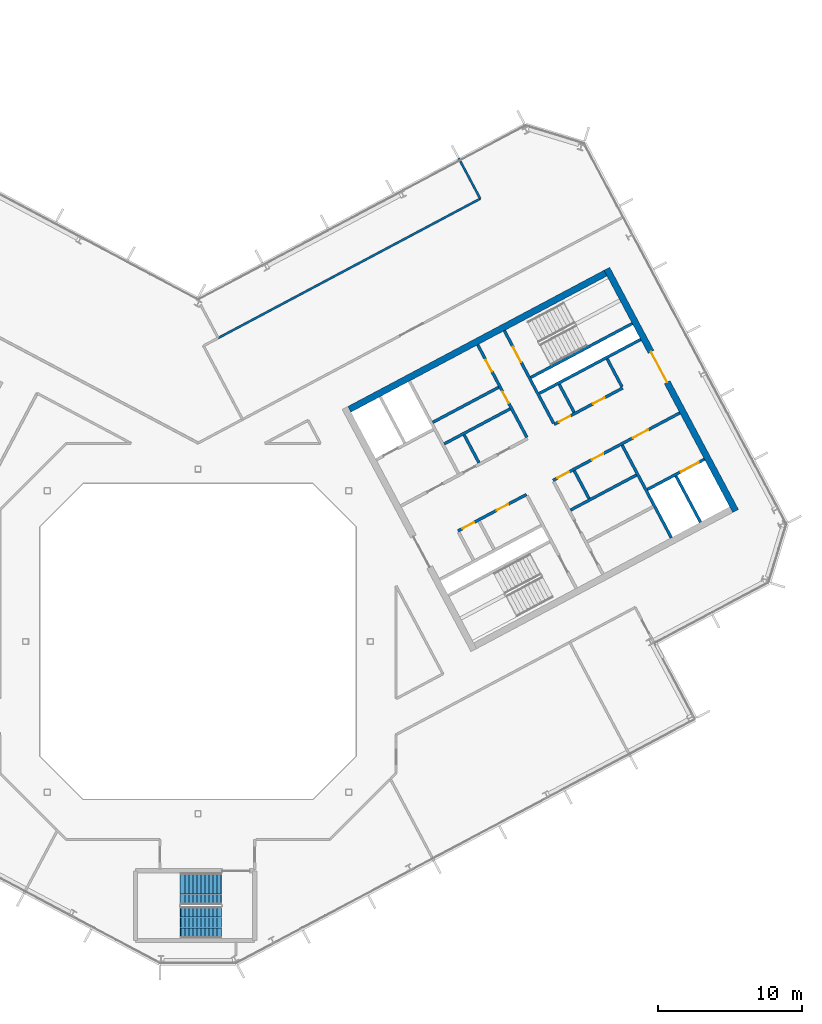
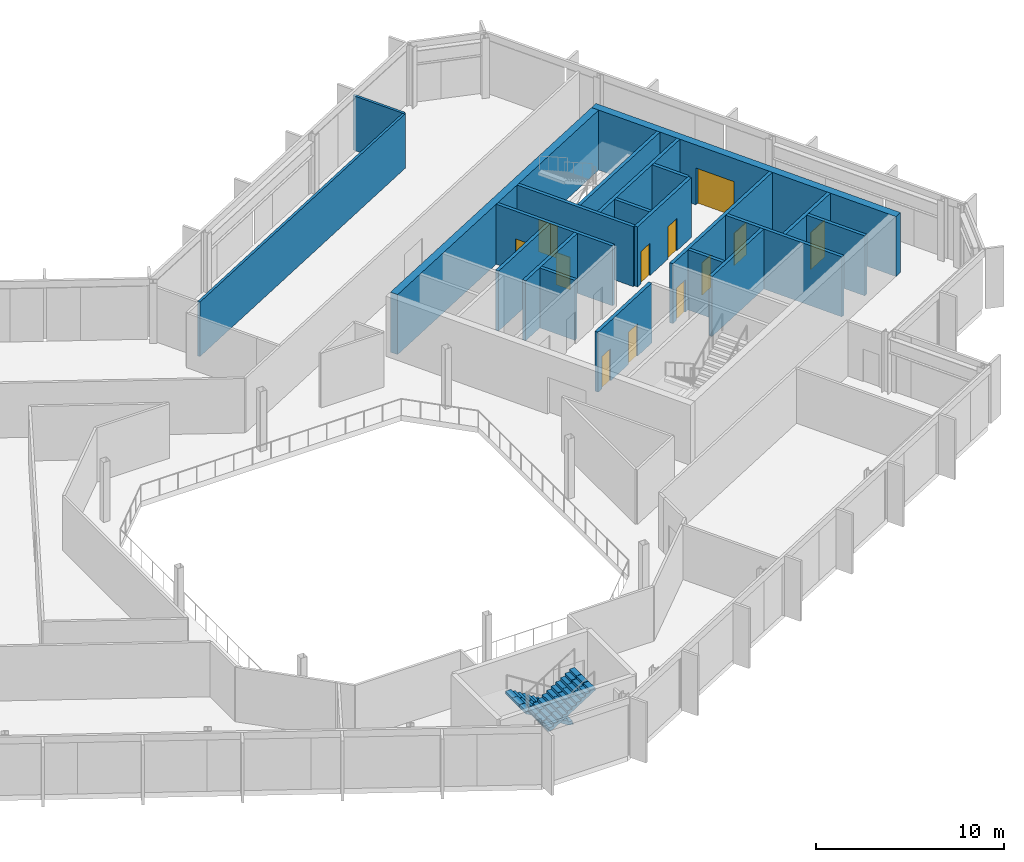
# One storey, part 17 of 26: 21 walls, 12 doors, 2 stair flights, 12 openings, 1 element without a shape of its own.
"""IFC4 building model written with IfcOpenShell, lengths in metres."""

from ifc_helpers import new_model, si_unit, direction, frame, frame_2d, origin, place, context, subcontext, project, spatial, polyline, rectangle, outline, extrude, material, layer, layer_set, type_object, element, fill, aggregate, save


model = new_model("IFC4")

# Units and contexts
model_context = context("Model", 3, precision=1e-05, world=origin(), true_north=direction((0.0, 1.0)))
body_context = subcontext(model_context, "Body", "Model", "MODEL_VIEW")
ifc_project = project(units=[si_unit("LENGTHUNIT", "METRE"), si_unit("AREAUNIT", "SQUARE_METRE"), si_unit("VOLUMEUNIT", "CUBIC_METRE"), si_unit("PLANEANGLEUNIT", "RADIAN"), si_unit("MASSUNIT", "GRAM", prefix="KILO")], contexts=[model_context])

# Site, building, storey
site_placement = place(None, origin())
site = spatial("IfcSite", under=ifc_project, at=site_placement, CompositionType="ELEMENT")
building_placement = place(site_placement, origin())
building = spatial("IfcBuilding", under=site, at=building_placement, Name="Cormorant Relay Tower", CompositionType="ELEMENT")
storey_placement = place(building_placement, frame((0.0, 0.0, 277.5)))
storey = spatial("IfcBuildingStorey", under=building, at=storey_placement, Name="L62", CompositionType="ELEMENT", Elevation=277.5)

# Walls
ifc_material_1 = material(Name="Concrete 40 MPa", Category="concrete")
ifc_layer_1 = layer(ifc_material_1, 0.199951171875)
ifc_layer_set_1 = layer_set([ifc_layer_1], Name="Core internal wall 200")
wall_type_1 = type_object("IfcWallType", Name="Core internal wall 200", PredefinedType="SOLIDWALL", material=ifc_layer_set_1)
for number, where, z_axis, x_axis, name in (
    (1, (19.568603515625, 12.443603515625, 0.0), (0.0, 0.0, 1.0), (-0.4694473164, 0.882960484464, 0.0), "L62 core B shaft and room wall"),
    (2, (27.236083984375, 9.951416015625, 0.0), (0.0, 0.0, 1.0), (-0.4694473164, 0.882960484464, 0.0), "L62 core B shaft and room wall"),
    (3, (26.19091796875, 15.964599609375, 0.0), (0.0, 0.0, 1.0), (-0.469533832133, 0.882914480843, 0.0), "L62 core B shaft and room wall"),
):
    element("IfcWall", number, at=place(storey_placement, frame(where, z_axis=z_axis, x_axis=x_axis)), inside=storey, type_object=wall_type_1, Name=name, PredefinedType="SOLIDWALL", context=body_context, shape_type="SweptSolid", body=[
        extrude(rectangle(XDim=2.199951171875, YDim=0.199951171875, at=frame_2d((1.10009765625, 0.0))), origin(), (0.0, 0.0, 1.0), 3.89990234375),
    ])
wall_1_placement = place(storey_placement, frame((16.3486328125, 15.26171875, 0.0), z_axis=(0.0, 0.0, 1.0), x_axis=(0.882953967957, 0.469459572775, 0.0)))
element("IfcWall", 4, at=wall_1_placement, inside=storey, type_object=wall_type_1, Name="L62 core B shaft and room wall", PredefinedType="SOLIDWALL", context=body_context, shape_type="SweptSolid", body=[
    extrude(rectangle(XDim=5.199951171875, YDim=0.199951171875, at=frame_2d((2.60009765625, 0.0))), origin(), (0.0, 0.0, 1.0), 3.89990234375),
])

# Wall, openings, doors
ifc_material_2 = material(Name="Concrete 50 MPa", Category="concrete")
ifc_layer_2 = layer(ifc_material_2, 0.199951171875)
ifc_layer_set_2 = layer_set([ifc_layer_2], Name="Core shaft wall 200")
wall_type_2 = type_object("IfcWallType", Name="Core shaft wall 200", PredefinedType="SHEAR", material=ifc_layer_set_2)
wall_2_placement = place(storey_placement, frame((22.90625, 14.218017578125, 0.0), z_axis=(0.0, 0.0, 1.0), x_axis=(-0.469480409012, 0.88294288918, 0.0)))
wall_2 = element("IfcWall", 5, at=wall_2_placement, inside=storey, type_object=wall_type_2, Name="L62 core B shaft wall", PredefinedType="SHEAR", context=body_context, shape_type="SweptSolid", body=[
    extrude(rectangle(XDim=7.300048828125, YDim=0.199951171875, at=frame_2d((3.64990234375, 0.0))), origin(), (0.0, 0.0, 1.0), 3.89990234375),
])
opening_1_placement = place(wall_2_placement, frame((2.699951171875, 0.0, 0.0)))
opening_1 = element("IfcOpeningElement", 6, at=opening_1_placement, cuts=wall_2, Name="Opening CDD-326", PredefinedType="OPENING", context=body_context, shape_type="SweptSolid", body=[
    extrude(rectangle(XDim=0.89990234375, YDim=2.10009765625, at=frame_2d((0.449951171875, 1.050048828125))), frame((0.0, 0.10986328125, 0.0), z_axis=(0.0, -1.0, 0.0), x_axis=(1.0, 0.0, 0.0)), (0.0, 0.0, 1.0), 0.219970703125),
])
opening_2_placement = place(wall_2_placement, frame((5.199951171875, 0.0, 0.0)))
opening_2 = element("IfcOpeningElement", 7, at=opening_2_placement, cuts=wall_2, Name="Opening CDD-327", PredefinedType="OPENING", context=body_context, shape_type="SweptSolid", body=[
    extrude(rectangle(XDim=0.89990234375, YDim=2.10009765625, at=frame_2d((0.449951171875, 1.050048828125))), frame((0.0, 0.10986328125, 0.0), z_axis=(0.0, -1.0, 0.0), x_axis=(1.0, 0.0, 0.0)), (0.0, 0.0, 1.0), 0.219970703125),
])
ifc_material_3 = material(Name="Steel fire door", Category="steel")
door_type_1 = type_object("IfcDoorType", Name="Core room door 900x2100", OperationType="SINGLE_SWING_LEFT", PredefinedType="DOOR", material=ifc_material_3)
door_1_placement = place(opening_1_placement, frame((0.89990234375, 0.0, 0.0), z_axis=(0.0, 0.0, 1.0), x_axis=(-1.0, 0.0, 0.0)))
door_1 = element("IfcDoor", 8, at=door_1_placement, inside=storey, type_object=door_type_1, Name="Core room door 900x2100", OperationType="SINGLE_SWING_LEFT", OverallHeight=2.10009765625, OverallWidth=0.89990234375, PredefinedType="DOOR", context=body_context, shape_type="SweptSolid", body=[
    extrude(rectangle(XDim=0.89990234375, YDim=2.10009765625, at=frame_2d((0.449951171875, 1.050048828125))), frame((0.0, 0.02490234375, 0.0), z_axis=(0.0, -1.0, 0.0), x_axis=(1.0, 0.0, 0.0)), (0.0, 0.0, 1.0), 0.050048828125),
])
fill(opening_1, door_1)
door_2_placement = place(opening_2_placement, frame((0.89990234375, 0.0, 0.0), z_axis=(0.0, 0.0, 1.0), x_axis=(-1.0, 0.0, 0.0)))
door_2 = element("IfcDoor", 9, at=door_2_placement, inside=storey, type_object=door_type_1, Name="Core room door 900x2100", OperationType="SINGLE_SWING_LEFT", OverallHeight=2.10009765625, OverallWidth=0.89990234375, PredefinedType="DOOR", context=body_context, shape_type="SweptSolid", body=[
    extrude(rectangle(XDim=0.89990234375, YDim=2.10009765625, at=frame_2d((0.449951171875, 1.050048828125))), frame((0.0, 0.02490234375, 0.0), z_axis=(0.0, -1.0, 0.0), x_axis=(1.0, 0.0, 0.0)), (0.0, 0.0, 1.0), 0.050048828125),
])
fill(opening_2, door_2)

# Wall, opening, door
wall_3_placement = place(storey_placement, frame((24.760498046875, 15.2041015625, 0.0), z_axis=(0.0, 0.0, 1.0), x_axis=(-0.469494272526, 0.882935517501, 0.0)))
wall_3 = element("IfcWall", 10, at=wall_3_placement, inside=storey, type_object=wall_type_2, Name="L62 core B shaft wall", PredefinedType="SHEAR", context=body_context, shape_type="SweptSolid", body=[
    extrude(rectangle(XDim=7.2998046875, YDim=0.199951171875, at=frame_2d((3.64990234375, 0.0))), origin(), (0.0, 0.0, 1.0), 3.89990234375),
])
opening_3_placement = place(wall_3_placement, frame((4.800048828125, 0.0, 0.0)))
opening_3 = element("IfcOpeningElement", 11, at=opening_3_placement, cuts=wall_3, Name="Opening CDB-041", PredefinedType="OPENING", context=body_context, shape_type="SweptSolid", body=[
    extrude(rectangle(XDim=1.199951171875, YDim=2.10009765625, at=frame_2d((0.60009765625, 1.050048828125))), frame((0.0, 0.10986328125, 0.0), z_axis=(0.0, -1.0, 0.0), x_axis=(1.0, 0.0, 0.0)), (0.0, 0.0, 1.0), 0.219970703125),
])
ifc_material_4 = material(Name="Steel fire door", Category="steel")
door_type_2 = type_object("IfcDoorType", Name="Core stair door 1200x2100", OperationType="SINGLE_SWING_LEFT", PredefinedType="DOOR", material=ifc_material_4)
door_3_placement = place(opening_3_placement, frame((1.199951171875, 0.0, 0.0), z_axis=(0.0, 0.0, 1.0), x_axis=(-1.0, 0.0, 0.0)))
door_3 = element("IfcDoor", 12, at=door_3_placement, inside=storey, type_object=door_type_2, Name="Core stair door 1200x2100", OperationType="SINGLE_SWING_RIGHT", OverallHeight=2.10009765625, OverallWidth=1.199951171875, PredefinedType="DOOR", context=body_context, shape_type="SweptSolid", body=[
    extrude(rectangle(XDim=1.199951171875, YDim=2.10009765625, at=frame_2d((0.60009765625, 1.050048828125))), frame((0.0, 0.02490234375, 0.0), z_axis=(0.0, -1.0, 0.0), x_axis=(1.0, 0.0, 0.0)), (0.0, 0.0, 1.0), 0.050048828125),
])
fill(opening_3, door_3)

# Walls
wall_4_placement = place(storey_placement, frame((32.968017578125, 7.222900390625, 0.0), z_axis=(0.0, 0.0, 1.0), x_axis=(-0.469480409012, 0.88294288918, 0.0)))
element("IfcWall", 13, at=wall_4_placement, inside=storey, type_object=wall_type_2, Name="L62 core B shaft wall", PredefinedType="SHEAR", context=body_context, shape_type="SweptSolid", body=[
    extrude(rectangle(XDim=7.300048828125, YDim=0.199951171875, at=frame_2d((3.64990234375, 0.0))), origin(), (0.0, 0.0, 1.0), 3.89990234375),
])
wall_5_placement = place(storey_placement, frame((29.5283203125, 17.739013671875, 0.0), z_axis=(0.0, 0.0, 1.0), x_axis=(-0.469401318492, 0.882984938828, 0.0)))
element("IfcWall", 14, at=wall_5_placement, inside=storey, type_object=wall_type_2, Name="L62 core B shaft wall", PredefinedType="SHEAR", context=body_context, shape_type="SweptSolid", body=[
    extrude(rectangle(XDim=2.199951171875, YDim=0.199951171875, at=frame_2d((1.10009765625, 0.0))), origin(), (0.0, 0.0, 1.0), 3.89990234375),
])
wall_6_placement = place(storey_placement, frame((34.998779296875, 8.302734375, 0.0), z_axis=(0.0, 0.0, 1.0), x_axis=(-0.4694665462, 0.882950260207, 0.0)))
element("IfcWall", 15, at=wall_6_placement, inside=storey, type_object=wall_type_2, Name="L62 core B shaft wall", PredefinedType="SHEAR", context=body_context, shape_type="SweptSolid", body=[
    extrude(rectangle(XDim=3.650146484375, YDim=0.199951171875, at=frame_2d((1.8251953125, 0.0))), origin(), (0.0, 0.0, 1.0), 3.89990234375),
])

# Wall, opening, door
wall_7_placement = place(storey_placement, frame((31.295654296875, 10.5810546875, 0.0), z_axis=(0.0, 0.0, 1.0), x_axis=(0.882960433586, 0.469447412093, 0.0)))
wall_7 = element("IfcWall", 16, at=wall_7_placement, inside=storey, type_object=wall_type_2, Name="L62 core B shaft wall", PredefinedType="SHEAR", context=body_context, shape_type="SweptSolid", body=[
    extrude(rectangle(XDim=4.5, YDim=0.199951171875, at=frame_2d((2.25, 0.0))), origin(), (0.0, 0.0, 1.0), 3.89990234375),
])
opening_4_placement = place(wall_7_placement, frame((2.64990234375, 0.0, 0.0)))
opening_4 = element("IfcOpeningElement", 17, at=opening_4_placement, cuts=wall_7, Name="Opening LD3-016", PredefinedType="OPENING", context=body_context, shape_type="SweptSolid", body=[
    extrude(rectangle(XDim=1.39990234375, YDim=2.39990234375, at=frame_2d((0.699951171875, 1.199951171875))), frame((0.0, 0.10986328125, 0.0), z_axis=(0.0, -1.0, 0.0), x_axis=(1.0, 0.0, 0.0)), (0.0, 0.0, 1.0), 0.219970703125),
])
ifc_material_5 = material(Name="Stainless steel 316", Category="steel")
door_type_3 = type_object("IfcDoorType", Name="Lift landing door 1400x2400", OperationType="DOUBLE_DOOR_SLIDING", PredefinedType="DOOR", material=ifc_material_5)
door_4_placement = place(opening_4_placement, origin())
door_4 = element("IfcDoor", 18, at=door_4_placement, inside=storey, type_object=door_type_3, Name="SV2 landing door", OperationType="DOUBLE_DOOR_SLIDING", OverallHeight=2.39990234375, OverallWidth=1.39990234375, PredefinedType="DOOR", context=body_context, shape_type="SweptSolid", body=[
    extrude(rectangle(XDim=1.39990234375, YDim=2.39990234375, at=frame_2d((0.699951171875, 1.199951171875))), frame((0.0, 0.02490234375, 0.0), z_axis=(0.0, -1.0, 0.0), x_axis=(1.0, 0.0, 0.0)), (0.0, 0.0, 1.0), 0.050048828125),
])
fill(opening_4, door_4)

# Wall
wall_8_placement = place(storey_placement, frame((25.94091796875, 9.149658203125, 0.0), z_axis=(0.0, 0.0, 1.0), x_axis=(0.882953967957, 0.469459572775, 0.0)))
element("IfcWall", 19, at=wall_8_placement, inside=storey, type_object=wall_type_2, Name="L62 core B shaft wall", PredefinedType="SHEAR", context=body_context, shape_type="SweptSolid", body=[
    extrude(rectangle(XDim=5.199951171875, YDim=0.199951171875, at=frame_2d((2.60009765625, 0.0))), origin(), (0.0, 0.0, 1.0), 3.89990234375),
])

# Wall, openings, doors
wall_9_placement = place(storey_placement, frame((18.103759765625, 7.70068359375, 0.0), z_axis=(0.0, 0.0, 1.0), x_axis=(0.882952937579, 0.469461510692, 0.0)))
wall_9 = element("IfcWall", 20, at=wall_9_placement, inside=storey, type_object=wall_type_2, Name="L62 core B shaft wall", PredefinedType="SHEAR", context=body_context, shape_type="SweptSolid", body=[
    extrude(rectangle(XDim=5.400146484375, YDim=0.199951171875, at=frame_2d((2.7001953125, 0.0))), origin(), (0.0, 0.0, 1.0), 3.89990234375),
])
opening_5_placement = place(wall_9_placement, frame((0.360107421875, 0.0, 0.0)))
opening_5 = element("IfcOpeningElement", 21, at=opening_5_placement, cuts=wall_9, Name="Opening CDD-245", PredefinedType="OPENING", context=body_context, shape_type="SweptSolid", body=[
    extrude(rectangle(XDim=0.89990234375, YDim=2.10009765625, at=frame_2d((0.449951171875, 1.050048828125))), frame((0.0, 0.10986328125, 0.0), z_axis=(0.0, -1.0, 0.0), x_axis=(1.0, 0.0, 0.0)), (0.0, 0.0, 1.0), 0.219970703125),
])
opening_6_placement = place(wall_9_placement, frame((3.06005859375, 0.0, 0.0)))
opening_6 = element("IfcOpeningElement", 22, at=opening_6_placement, cuts=wall_9, Name="Opening CDD-246", PredefinedType="OPENING", context=body_context, shape_type="SweptSolid", body=[
    extrude(rectangle(XDim=0.89990234375, YDim=2.10009765625, at=frame_2d((0.449951171875, 1.050048828125))), frame((0.0, 0.10986328125, 0.0), z_axis=(0.0, -1.0, 0.0), x_axis=(1.0, 0.0, 0.0)), (0.0, 0.0, 1.0), 0.219970703125),
])
door_5_placement = place(opening_5_placement, frame((0.89990234375, 0.0, 0.0), z_axis=(0.0, 0.0, 1.0), x_axis=(-1.0, 0.0, 0.0)))
door_5 = element("IfcDoor", 23, at=door_5_placement, inside=storey, type_object=door_type_1, Name="Core room door 900x2100", OperationType="SINGLE_SWING_RIGHT", OverallHeight=2.10009765625, OverallWidth=0.89990234375, PredefinedType="DOOR", context=body_context, shape_type="SweptSolid", body=[
    extrude(rectangle(XDim=0.89990234375, YDim=2.10009765625, at=frame_2d((0.449951171875, 1.050048828125))), frame((0.0, 0.02490234375, 0.0), z_axis=(0.0, -1.0, 0.0), x_axis=(1.0, 0.0, 0.0)), (0.0, 0.0, 1.0), 0.050048828125),
])
fill(opening_5, door_5)
door_6_placement = place(opening_6_placement, frame((0.89990234375, 0.0, 0.0), z_axis=(0.0, 0.0, 1.0), x_axis=(-1.0, 0.0, 0.0)))
door_6 = element("IfcDoor", 24, at=door_6_placement, inside=storey, type_object=door_type_1, Name="Core room door 900x2100", OperationType="SINGLE_SWING_RIGHT", OverallHeight=2.10009765625, OverallWidth=0.89990234375, PredefinedType="DOOR", context=body_context, shape_type="SweptSolid", body=[
    extrude(rectangle(XDim=0.89990234375, YDim=2.10009765625, at=frame_2d((0.449951171875, 1.050048828125))), frame((0.0, 0.02490234375, 0.0), z_axis=(0.0, -1.0, 0.0), x_axis=(1.0, 0.0, 0.0)), (0.0, 0.0, 1.0), 0.050048828125),
])
fill(opening_6, door_6)

wall_10_placement = place(storey_placement, frame((24.72607421875, 11.2216796875, 0.0), z_axis=(0.0, 0.0, 1.0), x_axis=(0.882940221191, 0.469485426614, 0.0)))
wall_10 = element("IfcWall", 25, at=wall_10_placement, inside=storey, type_object=wall_type_2, Name="L62 core B shaft wall", PredefinedType="SHEAR", context=body_context, shape_type="SweptSolid", body=[
    extrude(rectangle(XDim=10.0, YDim=0.199951171875, at=frame_2d((5.0, 0.0))), origin(), (0.0, 0.0, 1.0), 3.89990234375),
])
opening_7_placement = place(wall_10_placement, frame((6.300048828125, 0.0, 0.0)))
opening_7 = element("IfcOpeningElement", 26, at=opening_7_placement, cuts=wall_10, Name="Opening CDC-038", PredefinedType="OPENING", context=body_context, shape_type="SweptSolid", body=[
    extrude(rectangle(XDim=1.199951171875, YDim=2.10009765625, at=frame_2d((0.60009765625, 1.050048828125))), frame((0.0, 0.10986328125, 0.0), z_axis=(0.0, -1.0, 0.0), x_axis=(1.0, 0.0, 0.0)), (0.0, 0.0, 1.0), 0.219970703125),
])
opening_8_placement = place(wall_10_placement, frame((0.360107421875, 0.0, 0.0)))
opening_8 = element("IfcOpeningElement", 27, at=opening_8_placement, cuts=wall_10, Name="Opening CDD-247", PredefinedType="OPENING", context=body_context, shape_type="SweptSolid", body=[
    extrude(rectangle(XDim=0.89990234375, YDim=2.10009765625, at=frame_2d((0.449951171875, 1.050048828125))), frame((0.0, 0.10986328125, 0.0), z_axis=(0.0, -1.0, 0.0), x_axis=(1.0, 0.0, 0.0)), (0.0, 0.0, 1.0), 0.219970703125),
])
opening_9_placement = place(wall_10_placement, frame((3.06005859375, 0.0, 0.0)))
opening_9 = element("IfcOpeningElement", 28, at=opening_9_placement, cuts=wall_10, Name="Opening CDD-248", PredefinedType="OPENING", context=body_context, shape_type="SweptSolid", body=[
    extrude(rectangle(XDim=0.89990234375, YDim=2.10009765625, at=frame_2d((0.449951171875, 1.050048828125))), frame((0.0, 0.10986328125, 0.0), z_axis=(0.0, -1.0, 0.0), x_axis=(1.0, 0.0, 0.0)), (0.0, 0.0, 1.0), 0.219970703125),
])
ifc_material_6 = material(Name="Steel fire door", Category="steel")
door_type_4 = type_object("IfcDoorType", Name="Core lobby door 1200x2100", OperationType="SINGLE_SWING_LEFT", PredefinedType="DOOR", material=ifc_material_6)
door_7_placement = place(opening_7_placement, origin())
door_7 = element("IfcDoor", 29, at=door_7_placement, inside=storey, type_object=door_type_4, Name="Core lobby door 1200x2100", OperationType="SINGLE_SWING_LEFT", OverallHeight=2.10009765625, OverallWidth=1.199951171875, PredefinedType="DOOR", context=body_context, shape_type="SweptSolid", body=[
    extrude(rectangle(XDim=1.199951171875, YDim=2.10009765625, at=frame_2d((0.60009765625, 1.050048828125))), frame((0.0, 0.02490234375, 0.0), z_axis=(0.0, -1.0, 0.0), x_axis=(1.0, 0.0, 0.0)), (0.0, 0.0, 1.0), 0.050048828125),
])
fill(opening_7, door_7)
door_8_placement = place(opening_8_placement, frame((0.89990234375, 0.0, 0.0), z_axis=(0.0, 0.0, 1.0), x_axis=(-1.0, 0.0, 0.0)))
door_8 = element("IfcDoor", 30, at=door_8_placement, inside=storey, type_object=door_type_1, Name="Core room door 900x2100", OperationType="SINGLE_SWING_RIGHT", OverallHeight=2.10009765625, OverallWidth=0.89990234375, PredefinedType="DOOR", context=body_context, shape_type="SweptSolid", body=[
    extrude(rectangle(XDim=0.89990234375, YDim=2.10009765625, at=frame_2d((0.449951171875, 1.050048828125))), frame((0.0, 0.02490234375, 0.0), z_axis=(0.0, -1.0, 0.0), x_axis=(1.0, 0.0, 0.0)), (0.0, 0.0, 1.0), 0.050048828125),
])
fill(opening_8, door_8)
door_9_placement = place(opening_9_placement, frame((0.89990234375, 0.0, 0.0), z_axis=(0.0, 0.0, 1.0), x_axis=(-1.0, 0.0, 0.0)))
door_9 = element("IfcDoor", 31, at=door_9_placement, inside=storey, type_object=door_type_1, Name="Core room door 900x2100", OperationType="SINGLE_SWING_RIGHT", OverallHeight=2.10009765625, OverallWidth=0.89990234375, PredefinedType="DOOR", context=body_context, shape_type="SweptSolid", body=[
    extrude(rectangle(XDim=0.89990234375, YDim=2.10009765625, at=frame_2d((0.449951171875, 1.050048828125))), frame((0.0, 0.02490234375, 0.0), z_axis=(0.0, -1.0, 0.0), x_axis=(1.0, 0.0, 0.0)), (0.0, 0.0, 1.0), 0.050048828125),
])
fill(opening_9, door_9)

wall_11_placement = place(storey_placement, frame((24.807373046875, 15.11572265625, 0.0), z_axis=(0.0, 0.0, 1.0), x_axis=(0.882942972946, 0.469480251476, 0.0)))
wall_11 = element("IfcWall", 32, at=wall_11_placement, inside=storey, type_object=wall_type_2, Name="L62 core B shaft wall", PredefinedType="SHEAR", context=body_context, shape_type="SweptSolid", body=[
    extrude(rectangle(XDim=5.39990234375, YDim=0.199951171875, at=frame_2d((2.699951171875, 0.0))), origin(), (0.0, 0.0, 1.0), 3.89990234375),
])
opening_10_placement = place(wall_11_placement, frame((0.360107421875, 0.0, 0.0)))
opening_10 = element("IfcOpeningElement", 33, at=opening_10_placement, cuts=wall_11, Name="Opening CDD-273", PredefinedType="OPENING", context=body_context, shape_type="SweptSolid", body=[
    extrude(rectangle(XDim=0.89990234375, YDim=2.10009765625, at=frame_2d((0.449951171875, 1.050048828125))), frame((0.0, 0.10986328125, 0.0), z_axis=(0.0, -1.0, 0.0), x_axis=(1.0, 0.0, 0.0)), (0.0, 0.0, 1.0), 0.219970703125),
])
opening_11_placement = place(wall_11_placement, frame((3.06005859375, 0.0, 0.0)))
opening_11 = element("IfcOpeningElement", 34, at=opening_11_placement, cuts=wall_11, Name="Opening CDD-244", PredefinedType="OPENING", context=body_context, shape_type="SweptSolid", body=[
    extrude(rectangle(XDim=0.89990234375, YDim=2.10009765625, at=frame_2d((0.449951171875, 1.050048828125))), frame((0.0, 0.10986328125, 0.0), z_axis=(0.0, -1.0, 0.0), x_axis=(1.0, 0.0, 0.0)), (0.0, 0.0, 1.0), 0.219970703125),
])
door_10_placement = place(opening_10_placement, frame((0.89990234375, 0.0, 0.0), z_axis=(0.0, 0.0, 1.0), x_axis=(-1.0, 0.0, 0.0)))
door_10 = element("IfcDoor", 35, at=door_10_placement, inside=storey, type_object=door_type_1, Name="Core room door 900x2100", OperationType="SINGLE_SWING_RIGHT", OverallHeight=2.10009765625, OverallWidth=0.89990234375, PredefinedType="DOOR", context=body_context, shape_type="SweptSolid", body=[
    extrude(rectangle(XDim=0.89990234375, YDim=2.10009765625, at=frame_2d((0.449951171875, 1.050048828125))), frame((0.0, 0.02490234375, 0.0), z_axis=(0.0, -1.0, 0.0), x_axis=(1.0, 0.0, 0.0)), (0.0, 0.0, 1.0), 0.050048828125),
])
fill(opening_10, door_10)
door_11_placement = place(opening_11_placement, frame((0.89990234375, 0.0, 0.0), z_axis=(0.0, 0.0, 1.0), x_axis=(-1.0, 0.0, 0.0)))
door_11 = element("IfcDoor", 36, at=door_11_placement, inside=storey, type_object=door_type_1, Name="Core room door 900x2100", OperationType="SINGLE_SWING_RIGHT", OverallHeight=2.10009765625, OverallWidth=0.89990234375, PredefinedType="DOOR", context=body_context, shape_type="SweptSolid", body=[
    extrude(rectangle(XDim=0.89990234375, YDim=2.10009765625, at=frame_2d((0.449951171875, 1.050048828125))), frame((0.0, 0.02490234375, 0.0), z_axis=(0.0, -1.0, 0.0), x_axis=(1.0, 0.0, 0.0)), (0.0, 0.0, 1.0), 0.050048828125),
])
fill(opening_11, door_11)

# Walls
wall_12_placement = place(storey_placement, frame((17.146728515625, 13.7607421875, 0.0), z_axis=(0.0, 0.0, 1.0), x_axis=(0.882964314875, 0.469440111896, 0.0)))
element("IfcWall", 37, at=wall_12_placement, inside=storey, type_object=wall_type_2, Name="L62 core B shaft wall", PredefinedType="SHEAR", context=body_context, shape_type="SweptSolid", body=[
    extrude(rectangle(XDim=5.2001953125, YDim=0.199951171875, at=frame_2d((2.60009765625, 0.0))), origin(), (0.0, 0.0, 1.0), 3.89990234375),
])
wall_13_placement = place(storey_placement, frame((23.76904296875, 17.28173828125, 0.0), z_axis=(0.0, 0.0, 1.0), x_axis=(0.882940221191, 0.469485426614, 0.0)))
element("IfcWall", 38, at=wall_13_placement, inside=storey, type_object=wall_type_2, Name="L62 core B shaft wall", PredefinedType="SHEAR", context=body_context, shape_type="SweptSolid", body=[
    extrude(rectangle(XDim=8.0, YDim=0.199951171875, at=frame_2d((4.0, 0.0))), origin(), (0.0, 0.0, 1.0), 3.89990234375),
])
wall_14_placement = place(storey_placement, frame((23.18212890625, 18.385498046875, 0.0), z_axis=(0.0, 0.0, 1.0), x_axis=(0.88295287151, 0.469461634952, 0.0)))
element("IfcWall", 39, at=wall_14_placement, inside=storey, type_object=wall_type_2, Name="L62 core B shaft wall", PredefinedType="SHEAR", context=body_context, shape_type="SweptSolid", body=[
    extrude(rectangle(XDim=7.999755859375, YDim=0.199951171875, at=frame_2d((4.0, 0.0))), origin(), (0.0, 0.0, 1.0), 3.89990234375),
])

# Wall, opening, door
ifc_material_7 = material(Name="Concrete 50 MPa", Category="concrete")
ifc_layer_3 = layer(ifc_material_7, 0.449951171875)
ifc_layer_set_3 = layer_set([ifc_layer_3], Name="Core wall 450")
wall_type_3 = type_object("IfcWallType", Name="Core wall 450", PredefinedType="SHEAR", material=ifc_layer_set_3)
wall_15_placement = place(storey_placement, frame((37.439453125, 9.0908203125, 0.0), z_axis=(0.0, 0.0, 1.0), x_axis=(-0.469467968382, 0.882949504028, 0.0)))
wall_15 = element("IfcWall", 40, at=wall_15_placement, inside=storey, type_object=wall_type_3, Name="L62 core B wall", PredefinedType="SHEAR", context=body_context, shape_type="SweptSolid", body=[
    extrude(rectangle(XDim=19.099853515625, YDim=0.449951171875, at=frame_2d((9.5498046875, 0.0))), origin(), (0.0, 0.0, 1.0), 3.89990234375),
])
opening_12_placement = place(wall_15_placement, frame((10.14990234375, 0.0, 0.0)))
opening_12 = element("IfcOpeningElement", 41, at=opening_12_placement, cuts=wall_15, Name="Opening CDA-053", PredefinedType="OPENING", context=body_context, shape_type="SweptSolid", body=[
    extrude(rectangle(XDim=2.39990234375, YDim=2.39990234375, at=frame_2d((1.199951171875, 1.199951171875))), frame((0.0, 0.23486328125, 0.0), z_axis=(0.0, -1.0, 0.0), x_axis=(1.0, 0.0, 0.0)), (0.0, 0.0, 1.0), 0.469970703125),
])
ifc_material_8 = material(Name="Steel fire door", Category="steel")
door_type_5 = type_object("IfcDoorType", Name="Core lobby door 2400x2400", OperationType="DOUBLE_DOOR_SINGLE_SWING", PredefinedType="DOOR", material=ifc_material_8)
door_12_placement = place(opening_12_placement, origin())
door_12 = element("IfcDoor", 42, at=door_12_placement, inside=storey, type_object=door_type_5, Name="Core lobby door 2400x2400", OperationType="DOUBLE_DOOR_SINGLE_SWING", OverallHeight=2.39990234375, OverallWidth=2.39990234375, PredefinedType="DOOR", context=body_context, shape_type="SweptSolid", body=[
    extrude(rectangle(XDim=2.39990234375, YDim=2.39990234375, at=frame_2d((1.199951171875, 1.199951171875))), frame((0.0, 0.02490234375, 0.0), z_axis=(0.0, -1.0, 0.0), x_axis=(1.0, 0.0, 0.0)), (0.0, 0.0, 1.0), 0.050048828125),
])
fill(opening_12, door_12)

# Walls
wall_16_placement = place(storey_placement, frame((10.5439453125, 16.16748046875, 0.0), z_axis=(0.0, 0.0, 1.0), x_axis=(0.882947755831, 0.46947125628, 0.0)))
element("IfcWall", 43, at=wall_16_placement, inside=storey, type_object=wall_type_3, Name="L62 core B wall", PredefinedType="SHEAR", context=body_context, shape_type="SweptSolid", body=[
    extrude(rectangle(XDim=20.2001953125, YDim=0.449951171875, at=frame_2d((10.10009765625, 0.0))), origin(), (0.0, 0.0, 1.0), 3.89990234375),
])
ifc_material_9 = material(Name="Gypsum board partition")
ifc_layer_4 = layer(ifc_material_9, 0.14990234375)
ifc_layer_set_4 = layer_set([ifc_layer_4], Name="Tenant partition 150")
wall_type_4 = type_object("IfcWallType", Name="Tenant partition 150", PredefinedType="PARTITIONING", material=ifc_layer_set_4)
wall_17_placement = place(storey_placement, frame((1.405029296875, 21.133056640625, 0.0), z_axis=(0.0, 0.0, 1.0), x_axis=(0.882954791134, 0.469458024549, 0.0)))
element("IfcWall", 44, at=wall_17_placement, inside=storey, type_object=wall_type_4, Name="wall/L62/part/028", PredefinedType="PARTITIONING", context=body_context, shape_type="SweptSolid", body=[
    extrude(rectangle(XDim=20.67041015625, YDim=0.14990234375, at=frame_2d((10.335205078125, 0.0))), origin(), (0.0, 0.0, 1.0), 3.5400390625),
])
wall_18_placement = place(storey_placement, frame((19.656005859375, 30.8369140625, 0.0), z_axis=(0.0, 0.0, 1.0), x_axis=(-0.469289077813, 0.883044597654, 0.0)))
element("IfcWall", 45, at=wall_18_placement, inside=storey, type_object=wall_type_4, Name="wall/L62/part/029", PredefinedType="PARTITIONING", context=body_context, shape_type="SweptSolid", body=[
    extrude(rectangle(XDim=3.200439453125, YDim=0.14990234375, at=frame_2d((1.60009765625, 0.0))), origin(), (0.0, 0.0, 1.0), 3.5400390625),
])

# Stair, stair flights
ifc_material_10 = material(Name="Concrete 40 MPa", Category="concrete")
stair_type = type_object("IfcStairType", Name="Remote exit stair 2200", PredefinedType="HALF_TURN_STAIR", material=ifc_material_10)
stair_placement = place(storey_placement, origin())
stair = element("IfcStair", 46, at=stair_placement, inside=storey, type_object=stair_type, Name="L62 Stair", PredefinedType="HALF_TURN_STAIR")
ifc_material_11 = material(Name="Concrete 40 MPa", Category="concrete")
stair_flight_type = type_object("IfcStairFlightType", Name="Remote exit stair flight 2200", PredefinedType="STRAIGHT", material=ifc_material_11)
stair_flight_1_placement = place(storey_placement, frame((1.60009765625, -17.22509765625, 0.0), z_axis=(0.0, 0.0, 1.0), x_axis=(-1.0, 0.0, 0.0)))
stair_flight_1 = element("IfcStairFlight", 47, at=stair_flight_1_placement, type_object=stair_flight_type, Name="RK1 flight 1", NumberOfRisers=11, NumberOfTreads=10, PredefinedType="STRAIGHT", RiserHeight=0.177272727, TreadLength=0.28, context=body_context, shape_type="SweptSolid", body=[
    extrude(outline(polyline([(-0.050048828125, -0.080078125), (-0.050048828125, 0.0), (0.0, 0.0), (0.0, 0.17724609375), (0.280029296875, 0.17724609375), (0.280029296875, 0.3544921875), (0.56005859375, 0.3544921875), (0.56005859375, 0.53173828125), (0.840087890625, 0.53173828125), (0.840087890625, 0.708984375), (1.1201171875, 0.708984375), (1.1201171875, 0.886474609375), (1.39990234375, 0.886474609375), (1.39990234375, 1.063720703125), (1.679931640625, 1.063720703125), (1.679931640625, 1.240966796875), (1.9599609375, 1.240966796875), (1.9599609375, 1.418212890625), (2.239990234375, 1.418212890625), (2.239990234375, 1.595458984375), (2.52001953125, 1.595458984375), (2.52001953125, 1.772705078125), (2.800048828125, 1.772705078125), (2.85009765625, 1.772705078125), (2.85009765625, 1.59521484375), (2.800048828125, 1.59521484375), (0.2802734375, 0.0), (-0.050048828125, -0.080078125)])), frame((0.0, 1.10009765625, 0.0), z_axis=(0.0, -1.0, 0.0), x_axis=(1.0, 0.0, 0.0)), (0.0, 0.0, 1.0), 0.719970703125),
    extrude(outline(polyline([(-0.050048828125, -0.080078125), (-0.050048828125, 0.0), (0.0, 0.0), (0.0, 0.17724609375), (0.280029296875, 0.17724609375), (0.280029296875, 0.3544921875), (0.56005859375, 0.3544921875), (0.56005859375, 0.53173828125), (0.840087890625, 0.53173828125), (0.840087890625, 0.708984375), (1.1201171875, 0.708984375), (1.1201171875, 0.886474609375), (1.39990234375, 0.886474609375), (1.39990234375, 1.063720703125), (1.679931640625, 1.063720703125), (1.679931640625, 1.240966796875), (1.9599609375, 1.240966796875), (1.9599609375, 1.418212890625), (2.239990234375, 1.418212890625), (2.239990234375, 1.595458984375), (2.52001953125, 1.595458984375), (2.52001953125, 1.772705078125), (2.800048828125, 1.772705078125), (2.85009765625, 1.772705078125), (2.85009765625, 1.59521484375), (2.800048828125, 1.59521484375), (0.2802734375, 0.0), (-0.050048828125, -0.080078125)])), frame((0.0, 0.360107421875, 0.0), z_axis=(0.0, -1.0, 0.0), x_axis=(1.0, 0.0, 0.0)), (0.0, 0.0, 1.0), 0.719970703125),
    extrude(outline(polyline([(-0.050048828125, -0.080078125), (-0.050048828125, 0.0), (0.0, 0.0), (0.0, 0.17724609375), (0.280029296875, 0.17724609375), (0.280029296875, 0.3544921875), (0.56005859375, 0.3544921875), (0.56005859375, 0.53173828125), (0.840087890625, 0.53173828125), (0.840087890625, 0.708984375), (1.1201171875, 0.708984375), (1.1201171875, 0.886474609375), (1.39990234375, 0.886474609375), (1.39990234375, 1.063720703125), (1.679931640625, 1.063720703125), (1.679931640625, 1.240966796875), (1.9599609375, 1.240966796875), (1.9599609375, 1.418212890625), (2.239990234375, 1.418212890625), (2.239990234375, 1.595458984375), (2.52001953125, 1.595458984375), (2.52001953125, 1.772705078125), (2.800048828125, 1.772705078125), (2.85009765625, 1.772705078125), (2.85009765625, 1.59521484375), (2.800048828125, 1.59521484375), (0.2802734375, 0.0), (-0.050048828125, -0.080078125)])), frame((0.0, -0.3798828125, 0.0), z_axis=(0.0, -1.0, 0.0), x_axis=(1.0, 0.0, 0.0)), (0.0, 0.0, 1.0), 0.719970703125),
])
stair_flight_2_placement = place(storey_placement, frame((-1.199951171875, -19.574951171875, 1.949951171875), z_axis=(0.0, 0.0, 1.0), x_axis=(1.0, 0.0, 0.0)))
stair_flight_2 = element("IfcStairFlight", 48, at=stair_flight_2_placement, type_object=stair_flight_type, Name="RK1 flight 2", NumberOfRisers=11, NumberOfTreads=10, PredefinedType="STRAIGHT", RiserHeight=0.177272727, TreadLength=0.28, context=body_context, shape_type="SweptSolid", body=[
    extrude(outline(polyline([(-0.050048828125, -0.080078125), (-0.050048828125, 0.0), (0.0, 0.0), (0.0, 0.17724609375), (0.280029296875, 0.17724609375), (0.280029296875, 0.3544921875), (0.56005859375, 0.3544921875), (0.56005859375, 0.53173828125), (0.840087890625, 0.53173828125), (0.840087890625, 0.708984375), (1.1201171875, 0.708984375), (1.1201171875, 0.886474609375), (1.39990234375, 0.886474609375), (1.39990234375, 1.063720703125), (1.679931640625, 1.063720703125), (1.679931640625, 1.240966796875), (1.9599609375, 1.240966796875), (1.9599609375, 1.418212890625), (2.239990234375, 1.418212890625), (2.239990234375, 1.595458984375), (2.52001953125, 1.595458984375), (2.52001953125, 1.772705078125), (2.800048828125, 1.772705078125), (2.85009765625, 1.772705078125), (2.85009765625, 1.59521484375), (2.800048828125, 1.59521484375), (0.2802734375, 0.0), (-0.050048828125, -0.080078125)])), frame((0.0, 1.10009765625, 0.0), z_axis=(0.0, -1.0, 0.0), x_axis=(1.0, 0.0, 0.0)), (0.0, 0.0, 1.0), 0.719970703125),
    extrude(outline(polyline([(-0.050048828125, -0.080078125), (-0.050048828125, 0.0), (0.0, 0.0), (0.0, 0.17724609375), (0.280029296875, 0.17724609375), (0.280029296875, 0.3544921875), (0.56005859375, 0.3544921875), (0.56005859375, 0.53173828125), (0.840087890625, 0.53173828125), (0.840087890625, 0.708984375), (1.1201171875, 0.708984375), (1.1201171875, 0.886474609375), (1.39990234375, 0.886474609375), (1.39990234375, 1.063720703125), (1.679931640625, 1.063720703125), (1.679931640625, 1.240966796875), (1.9599609375, 1.240966796875), (1.9599609375, 1.418212890625), (2.239990234375, 1.418212890625), (2.239990234375, 1.595458984375), (2.52001953125, 1.595458984375), (2.52001953125, 1.772705078125), (2.800048828125, 1.772705078125), (2.85009765625, 1.772705078125), (2.85009765625, 1.59521484375), (2.800048828125, 1.59521484375), (0.2802734375, 0.0), (-0.050048828125, -0.080078125)])), frame((0.0, 0.360107421875, 0.0), z_axis=(0.0, -1.0, 0.0), x_axis=(1.0, 0.0, 0.0)), (0.0, 0.0, 1.0), 0.719970703125),
    extrude(outline(polyline([(-0.050048828125, -0.080078125), (-0.050048828125, 0.0), (0.0, 0.0), (0.0, 0.17724609375), (0.280029296875, 0.17724609375), (0.280029296875, 0.3544921875), (0.56005859375, 0.3544921875), (0.56005859375, 0.53173828125), (0.840087890625, 0.53173828125), (0.840087890625, 0.708984375), (1.1201171875, 0.708984375), (1.1201171875, 0.886474609375), (1.39990234375, 0.886474609375), (1.39990234375, 1.063720703125), (1.679931640625, 1.063720703125), (1.679931640625, 1.240966796875), (1.9599609375, 1.240966796875), (1.9599609375, 1.418212890625), (2.239990234375, 1.418212890625), (2.239990234375, 1.595458984375), (2.52001953125, 1.595458984375), (2.52001953125, 1.772705078125), (2.800048828125, 1.772705078125), (2.85009765625, 1.772705078125), (2.85009765625, 1.59521484375), (2.800048828125, 1.59521484375), (0.2802734375, 0.0), (-0.050048828125, -0.080078125)])), frame((0.0, -0.3798828125, 0.0), z_axis=(0.0, -1.0, 0.0), x_axis=(1.0, 0.0, 0.0)), (0.0, 0.0, 1.0), 0.719970703125),
])
aggregate(stair, [stair_flight_1, stair_flight_2])

save(model, "model.ifc")
